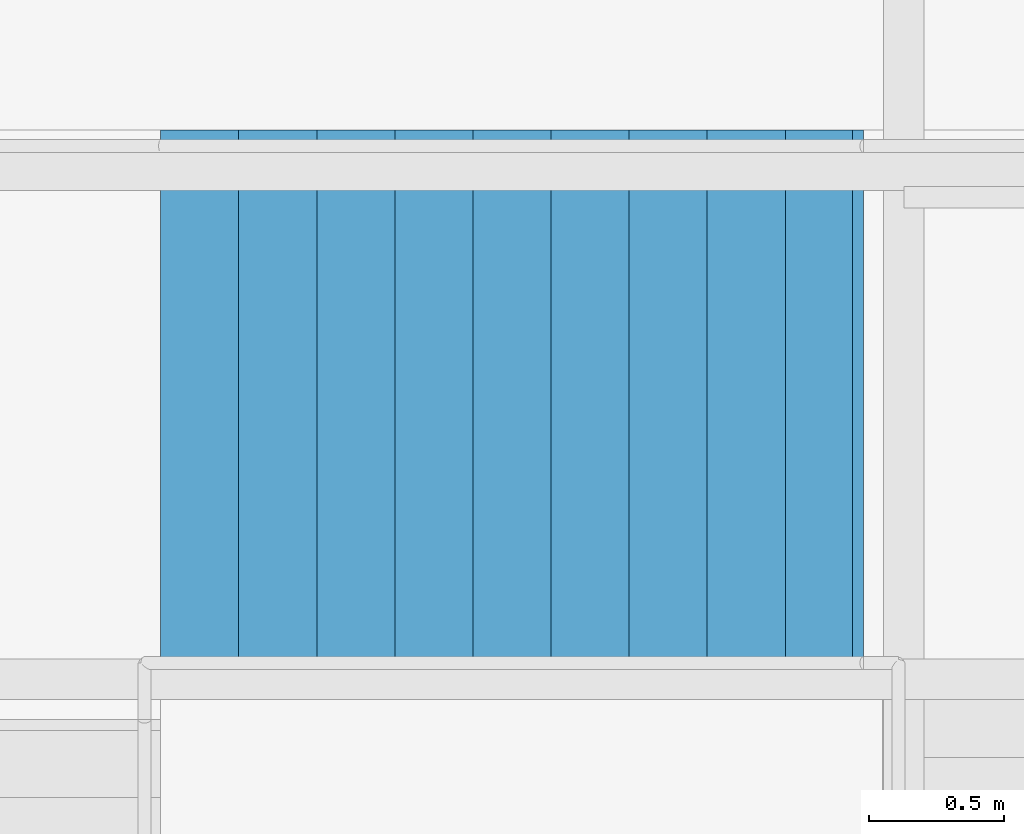
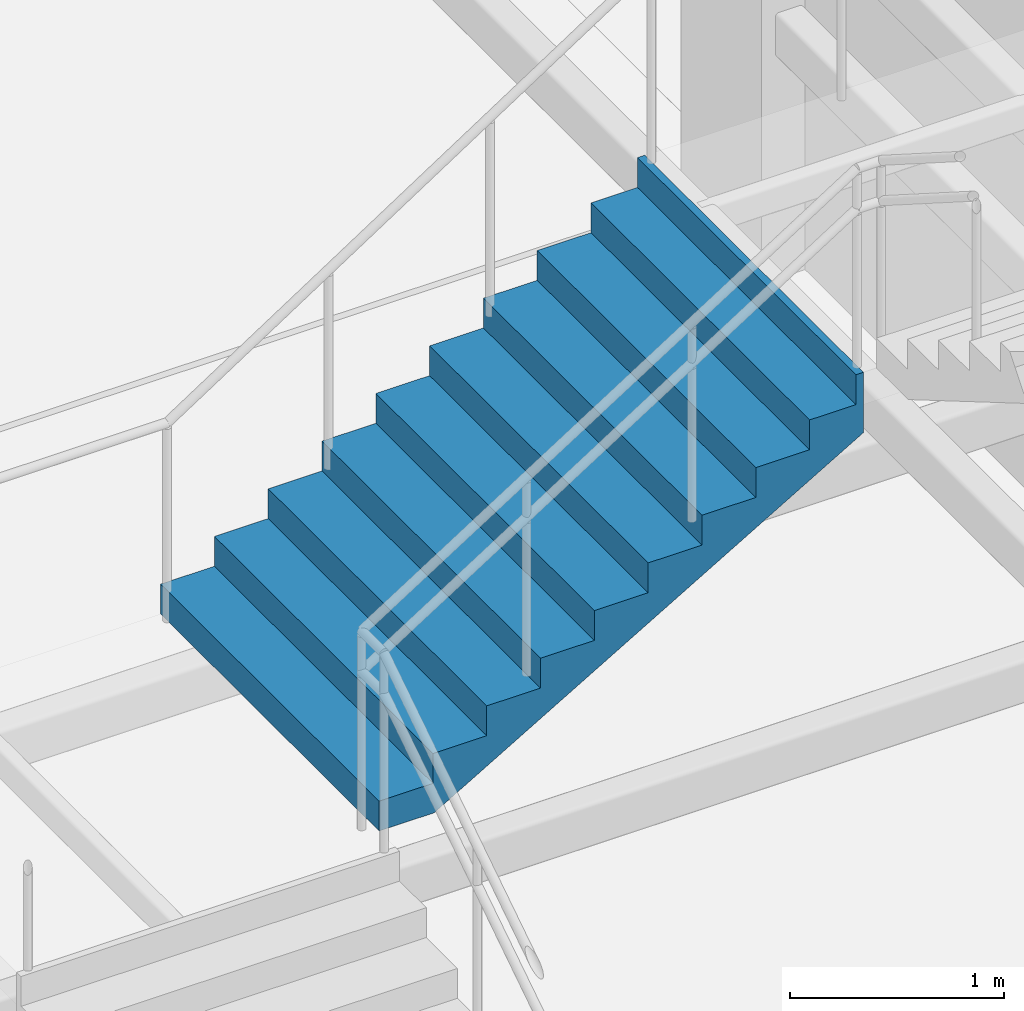
# One storey, part 59 of 67: 1 stair flight, 1 element without a shape of its own.
"""IFC4 building model written with IfcOpenShell, lengths in metres."""

from ifc_helpers import new_model, si_unit, direction, frame, origin, place, context, subcontext, project, spatial, triangles, material, type_object, element, aggregate, save


model = new_model("IFC4")

# Units and contexts
model_context = context("Model", 3, precision=1e-05, world=origin(), true_north=direction((0.0, 1.0)))
body_context = subcontext(model_context, "Body", "Model", "MODEL_VIEW")
ifc_project = project(units=[si_unit("LENGTHUNIT", "METRE"), si_unit("AREAUNIT", "SQUARE_METRE"), si_unit("VOLUMEUNIT", "CUBIC_METRE"), si_unit("PLANEANGLEUNIT", "RADIAN"), si_unit("MASSUNIT", "GRAM", prefix="KILO")], contexts=[model_context])

# Site, building, storey
site_placement = place(None, origin())
site = spatial("IfcSite", under=ifc_project, at=site_placement, CompositionType="ELEMENT")
building_placement = place(site_placement, origin())
building = spatial("IfcBuilding", under=site, at=building_placement, Name="Sillaruma Civic Art Gallery", CompositionType="ELEMENT")
storey_placement = place(building_placement, frame((0.0, 0.0, 46.919921875)))
storey = spatial("IfcBuildingStorey", under=building, at=storey_placement, Name="L09", CompositionType="ELEMENT", Elevation=46.919921875)

# Stair, stair flight
ifc_material = material(Name="Concrete H35 (35 MPa)", Category="concrete")
stair_type = type_object("IfcStairType", Name="STR-3F-30", PredefinedType="TWO_QUARTER_TURN_STAIR", material=ifc_material)
stair_placement = place(storey_placement, origin())
stair = element("IfcStair", 1, at=stair_placement, inside=storey, type_object=stair_type, Name="Monumental Gallery Feature Stair ST-G06 (L09)", PredefinedType="TWO_QUARTER_TURN_STAIR")
stair_flight_type = type_object("IfcStairFlightType", Name="SFL-STR-10", PredefinedType="STRAIGHT", material=ifc_material)
stair_flight_placement = place(storey_placement, frame((86.639892578125, 35.179931640625, 1.7001953125), z_axis=(0.0, 0.0, 1.0), x_axis=(1.0, 0.0, 0.0)))
stair_flight = element("IfcStairFlight", 2, at=stair_flight_placement, type_object=stair_flight_type, Name="ST-G06 flight 2", NumberOfRisers=10, NumberOfTreads=9, PredefinedType="STRAIGHT", RiserHeight=0.17, TreadLength=0.29, context=body_context, shape_type="Tessellation", body=[
    triangles([(0.0, -1.02001953125, 0.0), (0.29, -1.02001953125, 0.0), (0.296521, -1.02001953125, 0.0), (0.58, -1.02001953125, 0.166177), (0.87, -1.02001953125, 0.336177), (1.16, -1.02001953125, 0.506177), (1.45, -1.02001953125, 0.676177), (1.74, -1.02001953125, 0.846177), (2.03, -1.02001953125, 1.016177), (2.32, -1.02001953125, 1.186177), (2.570107, -1.02001953125, 1.332792), (2.610107, -1.02001953125, 1.35624), (2.610107, -1.02001953125, 1.7), (2.570107, -1.02001953125, 1.7), (2.570107, -1.02001953125, 1.53), (2.32, -1.02001953125, 1.53), (2.32, -1.02001953125, 1.36), (2.03, -1.02001953125, 1.36), (2.03, -1.02001953125, 1.19), (1.74, -1.02001953125, 1.19), (1.74, -1.02001953125, 1.02), (1.45, -1.02001953125, 1.02), (1.45, -1.02001953125, 0.85), (1.16, -1.02001953125, 0.85), (1.16, -1.02001953125, 0.68), (0.87, -1.02001953125, 0.68), (0.87, -1.02001953125, 0.51), (0.58, -1.02001953125, 0.51), (0.58, -1.02001953125, 0.34), (0.296521, -1.02001953125, 0.34), (0.29, -1.02001953125, 0.34), (0.29, -1.02001953125, 0.17), (0.0, -1.02001953125, 0.17), (0.0, -0.05, 0.0), (0.29, -0.05, 0.0), (0.296521, -0.05, 0.0), (0.58, -0.05, 0.166177), (0.87, -0.05, 0.336177), (1.16, -0.05, 0.506177), (1.45, -0.05, 0.676177), (1.74, -0.05, 0.846177), (2.03, -0.05, 1.016177), (2.32, -0.05, 1.186177), (2.570107, -0.05, 1.332792), (2.610107, -0.05, 1.35624), (2.610107, -0.05, 1.7), (2.570107, -0.05, 1.7), (2.570107, -0.05, 1.53), (2.32, -0.05, 1.53), (2.32, -0.05, 1.36), (2.03, -0.05, 1.36), (2.03, -0.05, 1.19), (1.74, -0.05, 1.19), (1.74, -0.05, 1.02), (1.45, -0.05, 1.02), (1.45, -0.05, 0.85), (1.16, -0.05, 0.85), (1.16, -0.05, 0.68), (0.87, -0.05, 0.68), (0.87, -0.05, 0.51), (0.58, -0.05, 0.51), (0.58, -0.05, 0.34), (0.296521, -0.05, 0.34), (0.29, -0.05, 0.34), (0.29, -0.05, 0.17), (0.0, -0.05, 0.17), (0.0, -0.0375, 0.0), (0.29, -0.0375, 0.0), (0.296521, -0.0375, 0.0), (0.58, -0.0375, 0.166177), (0.87, -0.0375, 0.336177), (1.16, -0.0375, 0.506177), (1.45, -0.0375, 0.676177), (1.74, -0.0375, 0.846177), (2.03, -0.0375, 1.016177), (2.32, -0.0375, 1.186177), (2.570107, -0.0375, 1.332792), (2.610107, -0.0375, 1.35624), (2.610107, -0.0375, 1.7), (2.570107, -0.0375, 1.7), (2.570107, -0.0375, 1.53), (2.32, -0.0375, 1.53), (2.32, -0.0375, 1.36), (2.03, -0.0375, 1.36), (2.03, -0.0375, 1.19), (1.74, -0.0375, 1.19), (1.74, -0.0375, 1.02), (1.45, -0.0375, 1.02), (1.45, -0.0375, 0.85), (1.16, -0.0375, 0.85), (1.16, -0.0375, 0.68), (0.87, -0.0375, 0.68), (0.87, -0.0375, 0.51), (0.58, -0.0375, 0.51), (0.58, -0.0375, 0.34), (0.296521, -0.0375, 0.34), (0.29, -0.0375, 0.34), (0.29, -0.0375, 0.17), (0.0, -0.0375, 0.17), (0.0, -0.025, 0.0), (0.29, -0.025, 0.0), (0.296521, -0.025, 0.0), (0.58, -0.025, 0.166177), (0.87, -0.025, 0.336177), (1.16, -0.025, 0.506177), (1.45, -0.025, 0.676177), (1.74, -0.025, 0.846177), (2.03, -0.025, 1.016177), (2.32, -0.025, 1.186177), (2.570107, -0.025, 1.332792), (2.610107, -0.025, 1.35624), (2.610107, -0.025, 1.7), (2.570107, -0.025, 1.7), (2.570107, -0.025, 1.53), (2.32, -0.025, 1.53), (2.32, -0.025, 1.36), (2.03, -0.025, 1.36), (2.03, -0.025, 1.19), (1.74, -0.025, 1.19), (1.74, -0.025, 1.02), (1.45, -0.025, 1.02), (1.45, -0.025, 0.85), (1.16, -0.025, 0.85), (1.16, -0.025, 0.68), (0.87, -0.025, 0.68), (0.87, -0.025, 0.51), (0.58, -0.025, 0.51), (0.58, -0.025, 0.34), (0.296521, -0.025, 0.34), (0.29, -0.025, 0.34), (0.29, -0.025, 0.17), (0.0, -0.025, 0.17), (0.0, -0.0125, 0.0), (0.29, -0.0125, 0.0), (0.296521, -0.0125, 0.0), (0.58, -0.0125, 0.166177), (0.87, -0.0125, 0.336177), (1.16, -0.0125, 0.506177), (1.45, -0.0125, 0.676177), (1.74, -0.0125, 0.846177), (2.03, -0.0125, 1.016177), (2.32, -0.0125, 1.186177), (2.570107, -0.0125, 1.332792), (2.610107, -0.0125, 1.35624), (2.610107, -0.0125, 1.7), (2.570107, -0.0125, 1.7), (2.570107, -0.0125, 1.53), (2.32, -0.0125, 1.53), (2.32, -0.0125, 1.36), (2.03, -0.0125, 1.36), (2.03, -0.0125, 1.19), (1.74, -0.0125, 1.19), (1.74, -0.0125, 1.02), (1.45, -0.0125, 1.02), (1.45, -0.0125, 0.85), (1.16, -0.0125, 0.85), (1.16, -0.0125, 0.68), (0.87, -0.0125, 0.68), (0.87, -0.0125, 0.51), (0.58, -0.0125, 0.51), (0.58, -0.0125, 0.34), (0.296521, -0.0125, 0.34), (0.29, -0.0125, 0.34), (0.29, -0.0125, 0.17), (0.0, -0.0125, 0.17), (0.0, 0.0, 0.0), (0.29, 0.0, 0.0), (0.296521, 0.0, 0.0), (0.58, 0.0, 0.166177), (0.87, 0.0, 0.336177), (1.16, 0.0, 0.506177), (1.45, 0.0, 0.676177), (1.74, 0.0, 0.846177), (2.03, 0.0, 1.016177), (2.32, 0.0, 1.186177), (2.570107, 0.0, 1.332792), (2.610107, 0.0, 1.35624), (2.610107, 0.0, 1.7), (2.570107, 0.0, 1.7), (2.570107, 0.0, 1.53), (2.32, 0.0, 1.53), (2.32, 0.0, 1.36), (2.03, 0.0, 1.36), (2.03, 0.0, 1.19), (1.74, 0.0, 1.19), (1.74, 0.0, 1.02), (1.45, 0.0, 1.02), (1.45, 0.0, 0.85), (1.16, 0.0, 0.85), (1.16, 0.0, 0.68), (0.87, 0.0, 0.68), (0.87, 0.0, 0.51), (0.58, 0.0, 0.51), (0.58, 0.0, 0.34), (0.296521, 0.0, 0.34), (0.29, 0.0, 0.34), (0.29, 0.0, 0.17), (0.0, 0.0, 0.17), (0.0, 0.0125, 0.0), (0.29, 0.0125, 0.0), (0.296521, 0.0125, 0.0), (0.58, 0.0125, 0.166177), (0.87, 0.0125, 0.336177), (1.16, 0.0125, 0.506177), (1.45, 0.0125, 0.676177), (1.74, 0.0125, 0.846177), (2.03, 0.0125, 1.016177), (2.32, 0.0125, 1.186177), (2.570107, 0.0125, 1.332792), (2.610107, 0.0125, 1.35624), (2.610107, 0.0125, 1.7), (2.570107, 0.0125, 1.7), (2.570107, 0.0125, 1.53), (2.32, 0.0125, 1.53), (2.32, 0.0125, 1.36), (2.03, 0.0125, 1.36), (2.03, 0.0125, 1.19), (1.74, 0.0125, 1.19), (1.74, 0.0125, 1.02), (1.45, 0.0125, 1.02), (1.45, 0.0125, 0.85), (1.16, 0.0125, 0.85), (1.16, 0.0125, 0.68), (0.87, 0.0125, 0.68), (0.87, 0.0125, 0.51), (0.58, 0.0125, 0.51), (0.58, 0.0125, 0.34), (0.296521, 0.0125, 0.34), (0.29, 0.0125, 0.34), (0.29, 0.0125, 0.17), (0.0, 0.0125, 0.17), (0.0, 0.025, 0.0), (0.29, 0.025, 0.0), (0.296521, 0.025, 0.0), (0.58, 0.025, 0.166177), (0.87, 0.025, 0.336177), (1.16, 0.025, 0.506177), (1.45, 0.025, 0.676177), (1.74, 0.025, 0.846177), (2.03, 0.025, 1.016177), (2.32, 0.025, 1.186177), (2.570107, 0.025, 1.332792), (2.610107, 0.025, 1.35624), (2.610107, 0.025, 1.7), (2.570107, 0.025, 1.7), (2.570107, 0.025, 1.53), (2.32, 0.025, 1.53), (2.32, 0.025, 1.36), (2.03, 0.025, 1.36), (2.03, 0.025, 1.19), (1.74, 0.025, 1.19), (1.74, 0.025, 1.02), (1.45, 0.025, 1.02), (1.45, 0.025, 0.85), (1.16, 0.025, 0.85), (1.16, 0.025, 0.68), (0.87, 0.025, 0.68), (0.87, 0.025, 0.51), (0.58, 0.025, 0.51), (0.58, 0.025, 0.34), (0.296521, 0.025, 0.34), (0.29, 0.025, 0.34), (0.29, 0.025, 0.17), (0.0, 0.025, 0.17), (0.0, 0.0375, 0.0), (0.29, 0.0375, 0.0), (0.296521, 0.0375, 0.0), (0.58, 0.0375, 0.166177), (0.87, 0.0375, 0.336177), (1.16, 0.0375, 0.506177), (1.45, 0.0375, 0.676177), (1.74, 0.0375, 0.846177), (2.03, 0.0375, 1.016177), (2.32, 0.0375, 1.186177), (2.570107, 0.0375, 1.332792), (2.610107, 0.0375, 1.35624), (2.610107, 0.0375, 1.7), (2.570107, 0.0375, 1.7), (2.570107, 0.0375, 1.53), (2.32, 0.0375, 1.53), (2.32, 0.0375, 1.36), (2.03, 0.0375, 1.36), (2.03, 0.0375, 1.19), (1.74, 0.0375, 1.19), (1.74, 0.0375, 1.02), (1.45, 0.0375, 1.02), (1.45, 0.0375, 0.85), (1.16, 0.0375, 0.85), (1.16, 0.0375, 0.68), (0.87, 0.0375, 0.68), (0.87, 0.0375, 0.51), (0.58, 0.0375, 0.51), (0.58, 0.0375, 0.34), (0.296521, 0.0375, 0.34), (0.29, 0.0375, 0.34), (0.29, 0.0375, 0.17), (0.0, 0.0375, 0.17), (0.0, 0.05, 0.0), (0.29, 0.05, 0.0), (0.296521, 0.05, 0.0), (0.58, 0.05, 0.166177), (0.87, 0.05, 0.336177), (1.16, 0.05, 0.506177), (1.45, 0.05, 0.676177), (1.74, 0.05, 0.846177), (2.03, 0.05, 1.016177), (2.32, 0.05, 1.186177), (2.570107, 0.05, 1.332792), (2.610107, 0.05, 1.35624), (2.610107, 0.05, 1.7), (2.570107, 0.05, 1.7), (2.570107, 0.05, 1.53), (2.32, 0.05, 1.53), (2.32, 0.05, 1.36), (2.03, 0.05, 1.36), (2.03, 0.05, 1.19), (1.74, 0.05, 1.19), (1.74, 0.05, 1.02), (1.45, 0.05, 1.02), (1.45, 0.05, 0.85), (1.16, 0.05, 0.85), (1.16, 0.05, 0.68), (0.87, 0.05, 0.68), (0.87, 0.05, 0.51), (0.58, 0.05, 0.51), (0.58, 0.05, 0.34), (0.296521, 0.05, 0.34), (0.29, 0.05, 0.34), (0.29, 0.05, 0.17), (0.0, 0.05, 0.17), (0.0, 1.02001953125, 0.0), (0.29, 1.02001953125, 0.0), (0.296521, 1.02001953125, 0.0), (0.58, 1.02001953125, 0.166177), (0.87, 1.02001953125, 0.336177), (1.16, 1.02001953125, 0.506177), (1.45, 1.02001953125, 0.676177), (1.74, 1.02001953125, 0.846177), (2.03, 1.02001953125, 1.016177), (2.32, 1.02001953125, 1.186177), (2.570107, 1.02001953125, 1.332792), (2.610107, 1.02001953125, 1.35624), (2.610107, 1.02001953125, 1.7), (2.570107, 1.02001953125, 1.7), (2.570107, 1.02001953125, 1.53), (2.32, 1.02001953125, 1.53), (2.32, 1.02001953125, 1.36), (2.03, 1.02001953125, 1.36), (2.03, 1.02001953125, 1.19), (1.74, 1.02001953125, 1.19), (1.74, 1.02001953125, 1.02), (1.45, 1.02001953125, 1.02), (1.45, 1.02001953125, 0.85), (1.16, 1.02001953125, 0.85), (1.16, 1.02001953125, 0.68), (0.87, 1.02001953125, 0.68), (0.87, 1.02001953125, 0.51), (0.58, 1.02001953125, 0.51), (0.58, 1.02001953125, 0.34), (0.296521, 1.02001953125, 0.34), (0.29, 1.02001953125, 0.34), (0.29, 1.02001953125, 0.17), (0.0, 1.02001953125, 0.17)], [[1, 2, 32], [1, 32, 33], [2, 3, 30], [2, 30, 32], [32, 30, 31], [3, 4, 29], [3, 29, 30], [4, 5, 27], [4, 27, 29], [29, 27, 28], [5, 6, 25], [5, 25, 27], [27, 25, 26], [6, 7, 23], [6, 23, 25], [25, 23, 24], [7, 8, 21], [7, 21, 23], [23, 21, 22], [8, 9, 19], [8, 19, 21], [21, 19, 20], [9, 10, 17], [9, 17, 19], [19, 17, 18], [10, 11, 15], [10, 15, 17], [17, 15, 16], [11, 12, 13], [11, 13, 15], [15, 13, 14], [362, 332, 331], [363, 362, 331], [360, 333, 332], [362, 360, 332], [361, 360, 362], [359, 334, 333], [360, 359, 333], [357, 335, 334], [359, 357, 334], [358, 357, 359], [355, 336, 335], [357, 355, 335], [356, 355, 357], [353, 337, 336], [355, 353, 336], [354, 353, 355], [351, 338, 337], [353, 351, 337], [352, 351, 353], [349, 339, 338], [351, 349, 338], [350, 349, 351], [347, 340, 339], [349, 347, 339], [348, 347, 349], [345, 341, 340], [347, 345, 340], [346, 345, 347], [343, 342, 341], [345, 343, 341], [344, 343, 345], [2, 1, 34], [2, 34, 35], [3, 2, 35], [3, 35, 36], [4, 3, 36], [4, 36, 37], [5, 4, 37], [5, 37, 38], [6, 5, 38], [6, 38, 39], [7, 6, 39], [7, 39, 40], [8, 7, 40], [8, 40, 41], [9, 8, 41], [9, 41, 42], [10, 9, 42], [10, 42, 43], [11, 10, 43], [11, 43, 44], [12, 11, 44], [12, 44, 45], [13, 12, 45], [13, 45, 46], [14, 13, 46], [14, 46, 47], [15, 14, 47], [15, 47, 48], [16, 15, 48], [16, 48, 49], [17, 16, 49], [17, 49, 50], [18, 17, 50], [18, 50, 51], [19, 18, 51], [19, 51, 52], [20, 19, 52], [20, 52, 53], [21, 20, 53], [21, 53, 54], [22, 21, 54], [22, 54, 55], [23, 22, 55], [23, 55, 56], [24, 23, 56], [24, 56, 57], [25, 24, 57], [25, 57, 58], [26, 25, 58], [26, 58, 59], [27, 26, 59], [27, 59, 60], [28, 27, 60], [28, 60, 61], [29, 28, 61], [29, 61, 62], [30, 29, 62], [30, 62, 63], [31, 30, 63], [31, 63, 64], [32, 31, 64], [32, 64, 65], [33, 32, 65], [33, 65, 66], [1, 33, 66], [1, 66, 34], [35, 34, 67], [35, 67, 68], [36, 35, 68], [36, 68, 69], [37, 36, 69], [37, 69, 70], [38, 37, 70], [38, 70, 71], [39, 38, 71], [39, 71, 72], [40, 39, 72], [40, 72, 73], [41, 40, 73], [41, 73, 74], [42, 41, 74], [42, 74, 75], [43, 42, 75], [43, 75, 76], [44, 43, 76], [44, 76, 77], [45, 44, 77], [45, 77, 78], [46, 45, 78], [46, 78, 79], [47, 46, 79], [47, 79, 80], [48, 47, 80], [48, 80, 81], [49, 48, 81], [49, 81, 82], [50, 49, 82], [50, 82, 83], [51, 50, 83], [51, 83, 84], [52, 51, 84], [52, 84, 85], [53, 52, 85], [53, 85, 86], [54, 53, 86], [54, 86, 87], [55, 54, 87], [55, 87, 88], [56, 55, 88], [56, 88, 89], [57, 56, 89], [57, 89, 90], [58, 57, 90], [58, 90, 91], [59, 58, 91], [59, 91, 92], [60, 59, 92], [60, 92, 93], [61, 60, 93], [61, 93, 94], [62, 61, 94], [62, 94, 95], [63, 62, 95], [63, 95, 96], [64, 63, 96], [64, 96, 97], [65, 64, 97], [65, 97, 98], [66, 65, 98], [66, 98, 99], [34, 66, 99], [34, 99, 67], [68, 67, 100], [68, 100, 101], [69, 68, 101], [69, 101, 102], [70, 69, 102], [70, 102, 103], [71, 70, 103], [71, 103, 104], [72, 71, 104], [72, 104, 105], [73, 72, 105], [73, 105, 106], [74, 73, 106], [74, 106, 107], [75, 74, 107], [75, 107, 108], [76, 75, 108], [76, 108, 109], [77, 76, 109], [77, 109, 110], [78, 77, 110], [78, 110, 111], [79, 78, 111], [79, 111, 112], [80, 79, 112], [80, 112, 113], [81, 80, 113], [81, 113, 114], [82, 81, 114], [82, 114, 115], [83, 82, 115], [83, 115, 116], [84, 83, 116], [84, 116, 117], [85, 84, 117], [85, 117, 118], [86, 85, 118], [86, 118, 119], [87, 86, 119], [87, 119, 120], [88, 87, 120], [88, 120, 121], [89, 88, 121], [89, 121, 122], [90, 89, 122], [90, 122, 123], [91, 90, 123], [91, 123, 124], [92, 91, 124], [92, 124, 125], [93, 92, 125], [93, 125, 126], [94, 93, 126], [94, 126, 127], [95, 94, 127], [95, 127, 128], [96, 95, 128], [96, 128, 129], [97, 96, 129], [97, 129, 130], [98, 97, 130], [98, 130, 131], [99, 98, 131], [99, 131, 132], [67, 99, 132], [67, 132, 100], [101, 100, 133], [101, 133, 134], [102, 101, 134], [102, 134, 135], [103, 102, 135], [103, 135, 136], [104, 103, 136], [104, 136, 137], [105, 104, 137], [105, 137, 138], [106, 105, 138], [106, 138, 139], [107, 106, 139], [107, 139, 140], [108, 107, 140], [108, 140, 141], [109, 108, 141], [109, 141, 142], [110, 109, 142], [110, 142, 143], [111, 110, 143], [111, 143, 144], [112, 111, 144], [112, 144, 145], [113, 112, 145], [113, 145, 146], [114, 113, 146], [114, 146, 147], [115, 114, 147], [115, 147, 148], [116, 115, 148], [116, 148, 149], [117, 116, 149], [117, 149, 150], [118, 117, 150], [118, 150, 151], [119, 118, 151], [119, 151, 152], [120, 119, 152], [120, 152, 153], [121, 120, 153], [121, 153, 154], [122, 121, 154], [122, 154, 155], [123, 122, 155], [123, 155, 156], [124, 123, 156], [124, 156, 157], [125, 124, 157], [125, 157, 158], [126, 125, 158], [126, 158, 159], [127, 126, 159], [127, 159, 160], [128, 127, 160], [128, 160, 161], [129, 128, 161], [129, 161, 162], [130, 129, 162], [130, 162, 163], [131, 130, 163], [131, 163, 164], [132, 131, 164], [132, 164, 165], [100, 132, 165], [100, 165, 133], [134, 133, 166], [134, 166, 167], [135, 134, 167], [135, 167, 168], [136, 135, 168], [136, 168, 169], [137, 136, 169], [137, 169, 170], [138, 137, 170], [138, 170, 171], [139, 138, 171], [139, 171, 172], [140, 139, 172], [140, 172, 173], [141, 140, 173], [141, 173, 174], [142, 141, 174], [142, 174, 175], [143, 142, 175], [143, 175, 176], [144, 143, 176], [144, 176, 177], [145, 144, 177], [145, 177, 178], [146, 145, 178], [146, 178, 179], [147, 146, 179], [147, 179, 180], [148, 147, 180], [148, 180, 181], [149, 148, 181], [149, 181, 182], [150, 149, 182], [150, 182, 183], [151, 150, 183], [151, 183, 184], [152, 151, 184], [152, 184, 185], [153, 152, 185], [153, 185, 186], [154, 153, 186], [154, 186, 187], [155, 154, 187], [155, 187, 188], [156, 155, 188], [156, 188, 189], [157, 156, 189], [157, 189, 190], [158, 157, 190], [158, 190, 191], [159, 158, 191], [159, 191, 192], [160, 159, 192], [160, 192, 193], [161, 160, 193], [161, 193, 194], [162, 161, 194], [162, 194, 195], [163, 162, 195], [163, 195, 196], [164, 163, 196], [164, 196, 197], [165, 164, 197], [165, 197, 198], [133, 165, 198], [133, 198, 166], [167, 166, 199], [167, 199, 200], [168, 167, 200], [168, 200, 201], [169, 168, 201], [169, 201, 202], [170, 169, 202], [170, 202, 203], [171, 170, 203], [171, 203, 204], [172, 171, 204], [172, 204, 205], [173, 172, 205], [173, 205, 206], [174, 173, 206], [174, 206, 207], [175, 174, 207], [175, 207, 208], [176, 175, 208], [176, 208, 209], [177, 176, 209], [177, 209, 210], [178, 177, 210], [178, 210, 211], [179, 178, 211], [179, 211, 212], [180, 179, 212], [180, 212, 213], [181, 180, 213], [181, 213, 214], [182, 181, 214], [182, 214, 215], [183, 182, 215], [183, 215, 216], [184, 183, 216], [184, 216, 217], [185, 184, 217], [185, 217, 218], [186, 185, 218], [186, 218, 219], [187, 186, 219], [187, 219, 220], [188, 187, 220], [188, 220, 221], [189, 188, 221], [189, 221, 222], [190, 189, 222], [190, 222, 223], [191, 190, 223], [191, 223, 224], [192, 191, 224], [192, 224, 225], [193, 192, 225], [193, 225, 226], [194, 193, 226], [194, 226, 227], [195, 194, 227], [195, 227, 228], [196, 195, 228], [196, 228, 229], [197, 196, 229], [197, 229, 230], [198, 197, 230], [198, 230, 231], [166, 198, 231], [166, 231, 199], [200, 199, 232], [200, 232, 233], [201, 200, 233], [201, 233, 234], [202, 201, 234], [202, 234, 235], [203, 202, 235], [203, 235, 236], [204, 203, 236], [204, 236, 237], [205, 204, 237], [205, 237, 238], [206, 205, 238], [206, 238, 239], [207, 206, 239], [207, 239, 240], [208, 207, 240], [208, 240, 241], [209, 208, 241], [209, 241, 242], [210, 209, 242], [210, 242, 243], [211, 210, 243], [211, 243, 244], [212, 211, 244], [212, 244, 245], [213, 212, 245], [213, 245, 246], [214, 213, 246], [214, 246, 247], [215, 214, 247], [215, 247, 248], [216, 215, 248], [216, 248, 249], [217, 216, 249], [217, 249, 250], [218, 217, 250], [218, 250, 251], [219, 218, 251], [219, 251, 252], [220, 219, 252], [220, 252, 253], [221, 220, 253], [221, 253, 254], [222, 221, 254], [222, 254, 255], [223, 222, 255], [223, 255, 256], [224, 223, 256], [224, 256, 257], [225, 224, 257], [225, 257, 258], [226, 225, 258], [226, 258, 259], [227, 226, 259], [227, 259, 260], [228, 227, 260], [228, 260, 261], [229, 228, 261], [229, 261, 262], [230, 229, 262], [230, 262, 263], [231, 230, 263], [231, 263, 264], [199, 231, 264], [199, 264, 232], [233, 232, 265], [233, 265, 266], [234, 233, 266], [234, 266, 267], [235, 234, 267], [235, 267, 268], [236, 235, 268], [236, 268, 269], [237, 236, 269], [237, 269, 270], [238, 237, 270], [238, 270, 271], [239, 238, 271], [239, 271, 272], [240, 239, 272], [240, 272, 273], [241, 240, 273], [241, 273, 274], [242, 241, 274], [242, 274, 275], [243, 242, 275], [243, 275, 276], [244, 243, 276], [244, 276, 277], [245, 244, 277], [245, 277, 278], [246, 245, 278], [246, 278, 279], [247, 246, 279], [247, 279, 280], [248, 247, 280], [248, 280, 281], [249, 248, 281], [249, 281, 282], [250, 249, 282], [250, 282, 283], [251, 250, 283], [251, 283, 284], [252, 251, 284], [252, 284, 285], [253, 252, 285], [253, 285, 286], [254, 253, 286], [254, 286, 287], [255, 254, 287], [255, 287, 288], [256, 255, 288], [256, 288, 289], [257, 256, 289], [257, 289, 290], [258, 257, 290], [258, 290, 291], [259, 258, 291], [259, 291, 292], [260, 259, 292], [260, 292, 293], [261, 260, 293], [261, 293, 294], [262, 261, 294], [262, 294, 295], [263, 262, 295], [263, 295, 296], [264, 263, 296], [264, 296, 297], [232, 264, 297], [232, 297, 265], [266, 265, 298], [266, 298, 299], [267, 266, 299], [267, 299, 300], [268, 267, 300], [268, 300, 301], [269, 268, 301], [269, 301, 302], [270, 269, 302], [270, 302, 303], [271, 270, 303], [271, 303, 304], [272, 271, 304], [272, 304, 305], [273, 272, 305], [273, 305, 306], [274, 273, 306], [274, 306, 307], [275, 274, 307], [275, 307, 308], [276, 275, 308], [276, 308, 309], [277, 276, 309], [277, 309, 310], [278, 277, 310], [278, 310, 311], [279, 278, 311], [279, 311, 312], [280, 279, 312], [280, 312, 313], [281, 280, 313], [281, 313, 314], [282, 281, 314], [282, 314, 315], [283, 282, 315], [283, 315, 316], [284, 283, 316], [284, 316, 317], [285, 284, 317], [285, 317, 318], [286, 285, 318], [286, 318, 319], [287, 286, 319], [287, 319, 320], [288, 287, 320], [288, 320, 321], [289, 288, 321], [289, 321, 322], [290, 289, 322], [290, 322, 323], [291, 290, 323], [291, 323, 324], [292, 291, 324], [292, 324, 325], [293, 292, 325], [293, 325, 326], [294, 293, 326], [294, 326, 327], [295, 294, 327], [295, 327, 328], [296, 295, 328], [296, 328, 329], [297, 296, 329], [297, 329, 330], [265, 297, 330], [265, 330, 298], [299, 298, 331], [299, 331, 332], [300, 299, 332], [300, 332, 333], [301, 300, 333], [301, 333, 334], [302, 301, 334], [302, 334, 335], [303, 302, 335], [303, 335, 336], [304, 303, 336], [304, 336, 337], [305, 304, 337], [305, 337, 338], [306, 305, 338], [306, 338, 339], [307, 306, 339], [307, 339, 340], [308, 307, 340], [308, 340, 341], [309, 308, 341], [309, 341, 342], [310, 309, 342], [310, 342, 343], [311, 310, 343], [311, 343, 344], [312, 311, 344], [312, 344, 345], [313, 312, 345], [313, 345, 346], [314, 313, 346], [314, 346, 347], [315, 314, 347], [315, 347, 348], [316, 315, 348], [316, 348, 349], [317, 316, 349], [317, 349, 350], [318, 317, 350], [318, 350, 351], [319, 318, 351], [319, 351, 352], [320, 319, 352], [320, 352, 353], [321, 320, 353], [321, 353, 354], [322, 321, 354], [322, 354, 355], [323, 322, 355], [323, 355, 356], [324, 323, 356], [324, 356, 357], [325, 324, 357], [325, 357, 358], [326, 325, 358], [326, 358, 359], [327, 326, 359], [327, 359, 360], [328, 327, 360], [328, 360, 361], [329, 328, 361], [329, 361, 362], [330, 329, 362], [330, 362, 363], [298, 330, 363], [298, 363, 331]], closed=True),
])
aggregate(stair, [stair_flight])

save(model, "model.ifc")
